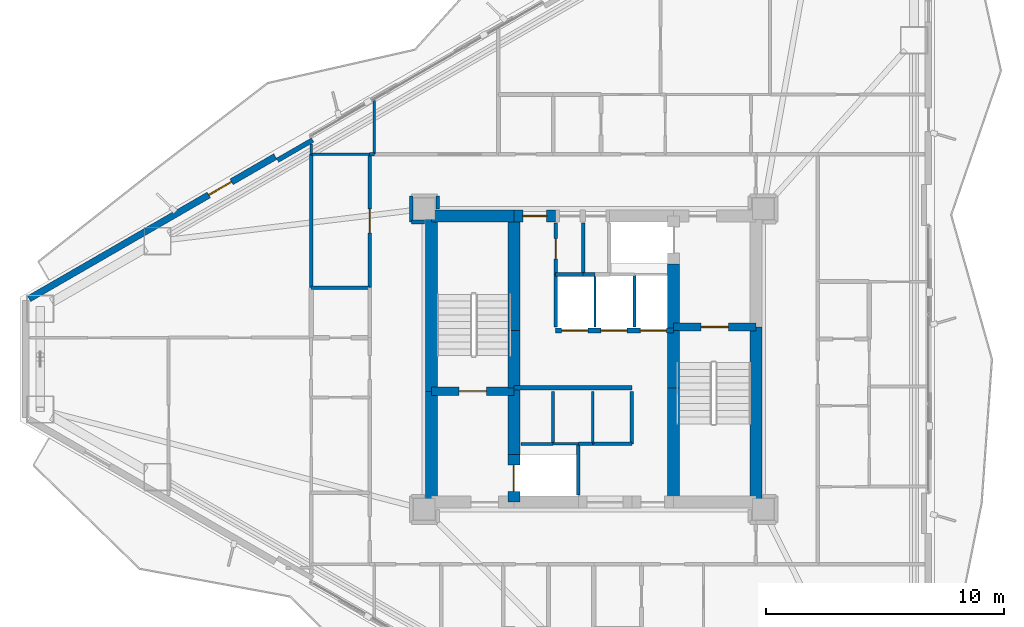
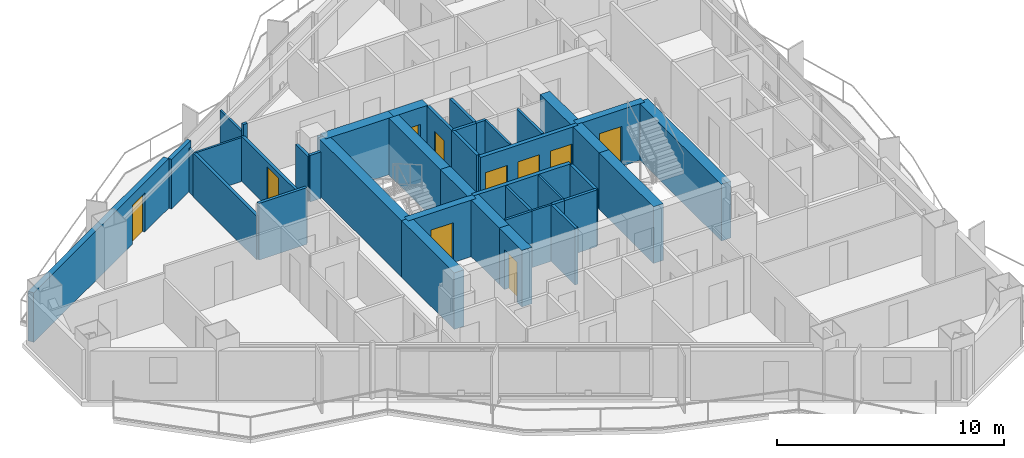
# One storey, part 17 of 23: 43 walls, 10 doors, 10 openings.
"""IFC4 building model written with IfcOpenShell, lengths in metres."""

from ifc_helpers import new_model, si_unit, direction, frame, frame_2d, origin, place, context, subcontext, project, spatial, rectangle, extrude, material, layer, layer_set, type_object, element, fill, save


model = new_model("IFC4")

# Units and contexts
model_context = context("Model", 3, precision=1e-05, world=origin(), true_north=direction((0.0, 1.0)))
body_context = subcontext(model_context, "Body", "Model", "MODEL_VIEW")
ifc_project = project(units=[si_unit("LENGTHUNIT", "METRE"), si_unit("AREAUNIT", "SQUARE_METRE"), si_unit("VOLUMEUNIT", "CUBIC_METRE"), si_unit("PLANEANGLEUNIT", "RADIAN"), si_unit("MASSUNIT", "GRAM", prefix="KILO")], contexts=[model_context])

# Site, building, storey
site_placement = place(None, origin())
site = spatial("IfcSite", under=ifc_project, at=site_placement, CompositionType="ELEMENT")
building_placement = place(site_placement, origin())
building = spatial("IfcBuilding", under=site, at=building_placement, Name="Mersakhor Tower and Convention Hall", CompositionType="ELEMENT")
storey_placement = place(building_placement, frame((0.0, 0.0, 80.10009765625)))
storey = spatial("IfcBuildingStorey", under=building, at=storey_placement, Name="L21", CompositionType="ELEMENT", Elevation=80.10009765625)

# Wall, opening, door
ifc_material_1 = material(Name="Precast concrete C45/55", Category="concrete")
ifc_layer_1 = layer(ifc_material_1, 0.27490234375)
ifc_layer_set_1 = layer_set([ifc_layer_1], Name="Precast concrete C45/55")
wall_type_1 = type_object("IfcWallType", Name="WL-EXT-275", PredefinedType="SOLIDWALL", material=ifc_layer_set_1)
wall_1_placement = place(storey_placement, frame((5.316650390625, 29.2822265625, 0.0), z_axis=(0.0, 0.0, 1.0), x_axis=(0.866023023012, 0.500004123596, 0.0)))
wall_1 = element("IfcWall", 1, at=wall_1_placement, inside=storey, type_object=wall_type_1, Name="L21 Exterior Facade Wall F1-B1", PredefinedType="SOLIDWALL", context=body_context, shape_type="SweptSolid", body=[
    extrude(rectangle(XDim=11.9296875, YDim=0.27490234375, at=frame_2d((5.96484375, 0.0))), origin(), (0.0, 0.0, 1.0), 2.669921875),
])
opening_1_placement = place(wall_1_placement, frame((8.7041015625, 0.0, 0.0)))
opening_1 = element("IfcOpeningElement", 2, at=opening_1_placement, cuts=wall_1, Name="Opening BD-02", PredefinedType="OPENING", context=body_context, shape_type="SweptSolid", body=[
    extrude(rectangle(XDim=1.10009765625, YDim=2.10009765625, at=frame_2d((0.550048828125, 1.050048828125))), frame((0.0, 0.1474609375, 0.0), z_axis=(0.0, -1.0, 0.0), x_axis=(1.0, 0.0, 0.0)), (0.0, 0.0, 1.0), 0.294921875),
])
ifc_material_2 = material(Name="Thermally broken dark aluminium and safety glass", Category="aluminium")
door_type_1 = type_object("IfcDoorType", Name="DR-BAL-110x210", OperationType="NOTDEFINED", PredefinedType="DOOR", material=ifc_material_2)
door_1_placement = place(opening_1_placement, origin())
door_1 = element("IfcDoor", 3, at=door_1_placement, inside=storey, type_object=door_type_1, Name="L21 Balcony Terrace Door F1-B1", OperationType="SINGLE_SWING_RIGHT", OverallHeight=2.10009765625, OverallWidth=1.10009765625, PredefinedType="DOOR", context=body_context, shape_type="SweptSolid", body=[
    extrude(rectangle(XDim=1.10009765625, YDim=2.10009765625, at=frame_2d((0.550048828125, 1.050048828125))), frame((0.0, 0.02490234375, 0.0), z_axis=(0.0, -1.0, 0.0), x_axis=(1.0, 0.0, 0.0)), (0.0, 0.0, 1.0), 0.050048828125),
])
fill(opening_1, door_1)

# Walls
ifc_material_3 = material(Name="Precast concrete C40/50", Category="concrete")
ifc_layer_2 = layer(ifc_material_3, 0.199951171875)
ifc_layer_set_2 = layer_set([ifc_layer_2], Name="Precast concrete C40/50")
wall_type_2 = type_object("IfcWallType", Name="WL-PAR-200", PredefinedType="PARAPET", material=ifc_layer_set_2)
wall_2_placement = place(storey_placement, frame((15.73779296875, 35.091064453125, 0.0), z_axis=(0.0, 0.0, 1.0), x_axis=(0.866025371046, 0.500000056704, 0.0)))
element("IfcWall", 4, at=wall_2_placement, inside=storey, type_object=wall_type_2, Name="L21 Column Pier Cladding Wall F1-C1", PredefinedType="PARAPET", context=body_context, shape_type="SweptSolid", body=[
    extrude(rectangle(XDim=1.7001953125, YDim=0.199951171875, at=frame_2d((0.85009765625, 0.0))), origin(), (0.0, 0.0, 1.0), 2.669921875),
])
ifc_material_4 = material(Name="Lightweight gypsum partition", Category="other")
ifc_layer_3 = layer(ifc_material_4, 0.10009765625)
ifc_layer_set_3 = layer_set([ifc_layer_3], Name="Lightweight gypsum partition")
wall_type_3 = type_object("IfcWallType", Name="WL-PRT-100", PredefinedType="PARTITIONING", material=ifc_layer_set_3)
wall_3_placement = place(storey_placement, frame((27.300048828125, 23.199951171875, 0.0), z_axis=(0.0, 0.0, 1.0), x_axis=(1.0, 0.0, 0.0)))
element("IfcWall", 5, at=wall_3_placement, inside=storey, type_object=wall_type_3, Name="L21 Interior Partition Wall P-002", PredefinedType="PARTITIONING", context=body_context, shape_type="SweptSolid", body=[
    extrude(rectangle(XDim=1.050048828125, YDim=0.10009765625, at=frame_2d((0.52490234375, 0.0))), origin(), (0.0, 0.0, 1.0), 3.0498046875),
])
for number, where, z_axis, x_axis, name in (
    (6, (28.949951171875, 25.39990234375, 0.0), (0.0, 0.0, 1.0), (0.0, -1.0, 0.0), "L21 Interior Partition Wall P-008"),
    (7, (29.050048828125, 30.300048828125, 0.0), (0.0, 0.0, 1.0), (0.0, -1.0, 0.0), "L21 Interior Partition Wall P-014"),
):
    element("IfcWall", number, at=place(storey_placement, frame(where, z_axis=z_axis, x_axis=x_axis)), inside=storey, type_object=wall_type_3, Name=name, PredefinedType="PARTITIONING", context=body_context, shape_type="SweptSolid", body=[
        extrude(rectangle(XDim=2.199951171875, YDim=0.10009765625, at=frame_2d((1.10009765625, 0.0))), origin(), (0.0, 0.0, 1.0), 3.0498046875),
    ])
wall_4_placement = place(storey_placement, frame((19.800048828125, 35.35009765625, 0.0), z_axis=(0.0, 0.0, 1.0), x_axis=(0.0, 1.0, 0.0)))
element("IfcWall", 8, at=wall_4_placement, inside=storey, type_object=wall_type_3, Name="L21 Interior Partition Wall P-104", PredefinedType="PARTITIONING", context=body_context, shape_type="SweptSolid", body=[
    extrude(rectangle(XDim=2.25244140625, YDim=0.10009765625, at=frame_2d((1.126220703125, 0.0))), origin(), (0.0, 0.0, 1.0), 2.364990234375),
])
wall_5_placement = place(storey_placement, frame((17.14990234375, 35.35009765625, 0.0), z_axis=(0.0, 0.0, 1.0), x_axis=(1.0, 0.0, 0.0)))
element("IfcWall", 9, at=wall_5_placement, inside=storey, type_object=wall_type_3, Name="L21 Interior Partition Wall P-106", PredefinedType="PARTITIONING", context=body_context, shape_type="SweptSolid", body=[
    extrude(rectangle(XDim=2.4501953125, YDim=0.10009765625, at=frame_2d((1.22509765625, 0.0))), origin(), (0.0, 0.0, 1.0), 2.364990234375),
])
wall_6_placement = place(storey_placement, frame((17.14990234375, 35.76318359375, 0.0), z_axis=(0.0, 0.0, 1.0), x_axis=(0.0, -1.0, 0.0)))
element("IfcWall", 10, at=wall_6_placement, inside=storey, type_object=wall_type_3, Name="L21 Interior Partition Wall P-132", PredefinedType="PARTITIONING", context=body_context, shape_type="SweptSolid", body=[
    extrude(rectangle(XDim=0.4130859375, YDim=0.10009765625, at=frame_2d((0.20654296875, 0.0))), origin(), (0.0, 0.0, 1.0), 2.364990234375),
])
ifc_material_5 = material(Name="Gypsum board acoustic partition", Category="other")
ifc_layer_4 = layer(ifc_material_5, 0.125)
ifc_layer_set_4 = layer_set([ifc_layer_4], Name="Gypsum board acoustic partition")
wall_type_4 = type_object("IfcWallType", Name="WL-PRT-125", PredefinedType="PARTITIONING", material=ifc_layer_set_4)
wall_7_placement = place(storey_placement, frame((25.949951171875, 23.199951171875, 0.0), z_axis=(0.0, 0.0, 1.0), x_axis=(1.0, 0.0, 0.0)))
element("IfcWall", 11, at=wall_7_placement, inside=storey, type_object=wall_type_4, Name="L21 Interior Partition Wall P-001", PredefinedType="PARTITIONING", context=body_context, shape_type="SweptSolid", body=[
    extrude(rectangle(XDim=1.35009765625, YDim=0.125, at=frame_2d((0.675048828125, 0.0))), origin(), (0.0, 0.0, 1.0), 3.0498046875),
])
for number, where, z_axis, x_axis, name in (
    (12, (27.300048828125, 25.39990234375, 0.0), (0.0, 0.0, 1.0), (0.0, -1.0, 0.0), "L21 Interior Partition Wall P-007"),
    (13, (30.699951171875, 30.300048828125, 0.0), (0.0, 0.0, 1.0), (0.0, -1.0, 0.0), "L21 Interior Partition Wall P-017"),
):
    element("IfcWall", number, at=place(storey_placement, frame(where, z_axis=z_axis, x_axis=x_axis)), inside=storey, type_object=wall_type_4, Name=name, PredefinedType="PARTITIONING", context=body_context, shape_type="SweptSolid", body=[
        extrude(rectangle(XDim=2.199951171875, YDim=0.125, at=frame_2d((1.10009765625, 0.0))), origin(), (0.0, 0.0, 1.0), 3.0498046875),
    ])
ifc_material_6 = material(Name="Fire-rated gypsum board stud partition", Category="other")
ifc_layer_5 = layer(ifc_material_6, 0.14990234375)
ifc_layer_set_5 = layer_set([ifc_layer_5], Name="Fire-rated gypsum board stud partition")
wall_type_5 = type_object("IfcWallType", Name="WL-PRT-150", PredefinedType="PARTITIONING", material=ifc_layer_set_5)
wall_8_placement = place(storey_placement, frame((28.35009765625, 23.199951171875, 0.0), z_axis=(0.0, 0.0, 1.0), x_axis=(0.0, -1.0, 0.0)))
element("IfcWall", 14, at=wall_8_placement, inside=storey, type_object=wall_type_5, Name="L21 Interior Partition Wall P-003", PredefinedType="PARTITIONING", context=body_context, shape_type="SweptSolid", body=[
    extrude(rectangle(XDim=2.14990234375, YDim=0.14990234375, at=frame_2d((1.074951171875, 0.0))), origin(), (0.0, 0.0, 1.0), 3.0498046875),
])
wall_9_placement = place(storey_placement, frame((28.949951171875, 23.199951171875, 0.0), z_axis=(0.0, 0.0, 1.0), x_axis=(-1.0, 0.0, 0.0)))
element("IfcWall", 15, at=wall_9_placement, inside=storey, type_object=wall_type_5, Name="L21 Interior Partition Wall P-009", PredefinedType="PARTITIONING", context=body_context, shape_type="SweptSolid", body=[
    extrude(rectangle(XDim=0.599853515625, YDim=0.14990234375, at=frame_2d((0.2998046875, 0.0))), origin(), (0.0, 0.0, 1.0), 3.0498046875),
])
wall_10_placement = place(storey_placement, frame((30.60009765625, 25.39990234375, 0.0), z_axis=(0.0, 0.0, 1.0), x_axis=(0.0, -1.0, 0.0)))
element("IfcWall", 16, at=wall_10_placement, inside=storey, type_object=wall_type_5, Name="L21 Interior Partition Wall P-010", PredefinedType="PARTITIONING", context=body_context, shape_type="SweptSolid", body=[
    extrude(rectangle(XDim=2.199951171875, YDim=0.14990234375, at=frame_2d((1.10009765625, 0.0))), origin(), (0.0, 0.0, 1.0), 3.0498046875),
])
wall_11_placement = place(storey_placement, frame((30.60009765625, 23.199951171875, 0.0), z_axis=(0.0, 0.0, 1.0), x_axis=(-1.0, 0.0, 0.0)))
element("IfcWall", 17, at=wall_11_placement, inside=storey, type_object=wall_type_5, Name="L21 Interior Partition Wall P-011", PredefinedType="PARTITIONING", context=body_context, shape_type="SweptSolid", body=[
    extrude(rectangle(XDim=1.650146484375, YDim=0.14990234375, at=frame_2d((0.8251953125, 0.0))), origin(), (0.0, 0.0, 1.0), 3.0498046875),
])
wall_12_placement = place(storey_placement, frame((27.39990234375, 30.300048828125, 0.0), z_axis=(0.0, 0.0, 1.0), x_axis=(1.0, 0.0, 0.0)))
element("IfcWall", 18, at=wall_12_placement, inside=storey, type_object=wall_type_5, Name="L21 Interior Partition Wall P-012", PredefinedType="PARTITIONING", context=body_context, shape_type="SweptSolid", body=[
    extrude(rectangle(XDim=1.150146484375, YDim=0.14990234375, at=frame_2d((0.5751953125, 0.0))), origin(), (0.0, 0.0, 1.0), 3.0498046875),
])
wall_13_placement = place(storey_placement, frame((28.550048828125, 30.300048828125, 0.0), z_axis=(0.0, 0.0, 1.0), x_axis=(1.0, 0.0, 0.0)))
element("IfcWall", 19, at=wall_13_placement, inside=storey, type_object=wall_type_5, Name="L21 Interior Partition Wall P-013", PredefinedType="PARTITIONING", context=body_context, shape_type="SweptSolid", body=[
    extrude(rectangle(XDim=0.5, YDim=0.14990234375, at=frame_2d((0.25, 0.0))), origin(), (0.0, 0.0, 1.0), 3.0498046875),
])
wall_14_placement = place(storey_placement, frame((27.39990234375, 28.10009765625, 0.0), z_axis=(0.0, 0.0, 1.0), x_axis=(0.0, 1.0, 0.0)))
element("IfcWall", 20, at=wall_14_placement, inside=storey, type_object=wall_type_5, Name="L21 Interior Partition Wall P-015", PredefinedType="PARTITIONING", context=body_context, shape_type="SweptSolid", body=[
    extrude(rectangle(XDim=2.199951171875, YDim=0.14990234375, at=frame_2d((1.10009765625, 0.0))), origin(), (0.0, 0.0, 1.0), 3.0498046875),
])

# Wall, opening, door
wall_15_placement = place(storey_placement, frame((27.39990234375, 32.449951171875, 0.0), z_axis=(0.0, 0.0, 1.0), x_axis=(0.0, -1.0, 0.0)))
wall_15 = element("IfcWall", 21, at=wall_15_placement, inside=storey, type_object=wall_type_5, Name="L21 Interior Partition Wall P-018", PredefinedType="PARTITIONING", context=body_context, shape_type="SweptSolid", body=[
    extrude(rectangle(XDim=2.14990234375, YDim=0.14990234375, at=frame_2d((1.074951171875, 0.0))), origin(), (0.0, 0.0, 1.0), 3.0498046875),
])
opening_2_placement = place(wall_15_placement, frame((0.64990234375, 0.0, 0.0)))
opening_2 = element("IfcOpeningElement", 22, at=opening_2_placement, cuts=wall_15, Name="Opening SVD-01", PredefinedType="OPENING", context=body_context, shape_type="SweptSolid", body=[
    extrude(rectangle(XDim=0.85009765625, YDim=2.10009765625, at=frame_2d((0.425048828125, 1.050048828125))), frame((0.0, 0.0849609375, 0.0), z_axis=(0.0, -1.0, 0.0), x_axis=(1.0, 0.0, 0.0)), (0.0, 0.0, 1.0), 0.169921875),
])
ifc_material_7 = material(Name="Fire-rated hardwood leaf and painted steel frame", Category="steel")
door_type_2 = type_object("IfcDoorType", Name="DR-INT-SVC-085x210", OperationType="NOTDEFINED", PredefinedType="DOOR", material=ifc_material_7)
door_2_placement = place(opening_2_placement, origin())
door_2 = element("IfcDoor", 23, at=door_2_placement, inside=storey, type_object=door_type_2, Name="L21 Central Passenger Lift Lobby to Telecoms Distribution Room Door", OperationType="SINGLE_SWING_LEFT", OverallHeight=2.10009765625, OverallWidth=0.85009765625, PredefinedType="DOOR", context=body_context, shape_type="SweptSolid", body=[
    extrude(rectangle(XDim=0.85009765625, YDim=2.10009765625, at=frame_2d((0.425048828125, 1.050048828125))), frame((0.0, 0.02490234375, 0.0), z_axis=(0.0, -1.0, 0.0), x_axis=(1.0, 0.0, 0.0)), (0.0, 0.0, 1.0), 0.050048828125),
])
fill(opening_2, door_2)

wall_16_placement = place(storey_placement, frame((19.60009765625, 29.75, 0.0), z_axis=(0.0, 0.0, 1.0), x_axis=(0.0, 1.0, 0.0)))
wall_16 = element("IfcWall", 24, at=wall_16_placement, inside=storey, type_object=wall_type_5, Name="L21 Interior Partition Wall P-036", PredefinedType="PARTITIONING", context=body_context, shape_type="SweptSolid", body=[
    extrude(rectangle(XDim=5.60009765625, YDim=0.14990234375, at=frame_2d((2.800048828125, 0.0))), origin(), (0.0, 0.0, 1.0), 2.422607421875),
])
opening_3_placement = place(wall_16_placement, frame((2.300048828125, 0.0, 0.0)))
opening_3 = element("IfcOpeningElement", 25, at=opening_3_placement, cuts=wall_16, Name="Opening FD-01", PredefinedType="OPENING", context=body_context, shape_type="SweptSolid", body=[
    extrude(rectangle(XDim=1.0, YDim=2.14990234375, at=frame_2d((0.5, 1.074951171875))), frame((0.0, 0.0849609375, 0.0), z_axis=(0.0, -1.0, 0.0), x_axis=(1.0, 0.0, 0.0)), (0.0, 0.0, 1.0), 0.169921875),
])
ifc_material_8 = material(Name="Fire-rated hardwood leaf and painted steel frame", Category="steel")
door_type_3 = type_object("IfcDoorType", Name="DR-INT-FLT-100x215", OperationType="NOTDEFINED", PredefinedType="DOOR", material=ifc_material_8)
door_3_placement = place(opening_3_placement, origin())
door_3 = element("IfcDoor", 26, at=door_3_placement, inside=storey, type_object=door_type_3, Name="L21 Residential Ring Corridor to L21 West Wing Shared Study Room Door", OperationType="SINGLE_SWING_RIGHT", OverallHeight=2.14990234375, OverallWidth=1.0, PredefinedType="DOOR", context=body_context, shape_type="SweptSolid", body=[
    extrude(rectangle(XDim=1.0, YDim=2.14990234375, at=frame_2d((0.5, 1.074951171875))), frame((0.0, 0.02490234375, 0.0), z_axis=(0.0, -1.0, 0.0), x_axis=(1.0, 0.0, 0.0)), (0.0, 0.0, 1.0), 0.050048828125),
])
fill(opening_3, door_3)

# Walls
wall_17_placement = place(storey_placement, frame((19.60009765625, 35.35009765625, 0.0), z_axis=(0.0, 0.0, 1.0), x_axis=(1.0, 0.0, 0.0)))
element("IfcWall", 27, at=wall_17_placement, inside=storey, type_object=wall_type_5, Name="L21 Interior Partition Wall P-037", PredefinedType="PARTITIONING", context=body_context, shape_type="SweptSolid", body=[
    extrude(rectangle(XDim=0.199951171875, YDim=0.14990234375, at=frame_2d((0.10009765625, 0.0))), origin(), (0.0, 0.0, 1.0), 3.0498046875),
])
wall_18_placement = place(storey_placement, frame((22.449951171875, 33.050048828125, 0.0), z_axis=(0.0, 0.0, 1.0), x_axis=(0.0, 1.0, 0.0)))
element("IfcWall", 28, at=wall_18_placement, inside=storey, type_object=wall_type_5, Name="L21 Interior Partition Wall P-047", PredefinedType="PARTITIONING", context=body_context, shape_type="SweptSolid", body=[
    extrude(rectangle(XDim=0.550048828125, YDim=0.14990234375, at=frame_2d((0.27490234375, 0.0))), origin(), (0.0, 0.0, 1.0), 2.498291015625),
])
wall_19_placement = place(storey_placement, frame((21.35009765625, 33.60009765625, 0.0), z_axis=(0.0, 0.0, 1.0), x_axis=(0.0, -1.0, 0.0)))
element("IfcWall", 29, at=wall_19_placement, inside=storey, type_object=wall_type_5, Name="L21 Interior Partition Wall P-049", PredefinedType="PARTITIONING", context=body_context, shape_type="SweptSolid", body=[
    extrude(rectangle(XDim=1.10009765625, YDim=0.14990234375, at=frame_2d((0.550048828125, 0.0))), origin(), (0.0, 0.0, 1.0), 2.422607421875),
])
wall_20_placement = place(storey_placement, frame((21.35009765625, 32.5, 0.0), z_axis=(0.0, 0.0, 1.0), x_axis=(1.0, 0.0, 0.0)))
element("IfcWall", 30, at=wall_20_placement, inside=storey, type_object=wall_type_5, Name="L21 Interior Partition Wall P-050", PredefinedType="PARTITIONING", context=body_context, shape_type="SweptSolid", body=[
    extrude(rectangle(XDim=0.5498046875, YDim=0.14990234375, at=frame_2d((0.27490234375, 0.0))), origin(), (0.0, 0.0, 1.0), 2.498291015625),
])
wall_21_placement = place(storey_placement, frame((17.14990234375, 29.75, 0.0), z_axis=(0.0, 0.0, 1.0), x_axis=(1.0, 0.0, 0.0)))
element("IfcWall", 31, at=wall_21_placement, inside=storey, type_object=wall_type_5, Name="L21 Interior Partition Wall P-095", PredefinedType="PARTITIONING", context=body_context, shape_type="SweptSolid", body=[
    extrude(rectangle(XDim=2.4501953125, YDim=0.14990234375, at=frame_2d((1.22509765625, 0.0))), origin(), (0.0, 0.0, 1.0), 3.0498046875),
])
wall_22_placement = place(storey_placement, frame((28.550048828125, 32.449951171875, 0.0), z_axis=(0.0, 0.0, 1.0), x_axis=(0.0, -1.0, 0.0)))
element("IfcWall", 32, at=wall_22_placement, inside=storey, type_object=wall_type_5, Name="L21 Interior Partition Wall P-102", PredefinedType="PARTITIONING", context=body_context, shape_type="SweptSolid", body=[
    extrude(rectangle(XDim=2.14990234375, YDim=0.14990234375, at=frame_2d((1.074951171875, 0.0))), origin(), (0.0, 0.0, 1.0), 3.0498046875),
])
wall_23_placement = place(storey_placement, frame((17.14990234375, 29.75, 0.0), z_axis=(0.0, 0.0, 1.0), x_axis=(0.0, 1.0, 0.0)))
element("IfcWall", 33, at=wall_23_placement, inside=storey, type_object=wall_type_5, Name="L21 Interior Partition Wall P-105", PredefinedType="PARTITIONING", context=body_context, shape_type="SweptSolid", body=[
    extrude(rectangle(XDim=5.60009765625, YDim=0.14990234375, at=frame_2d((2.800048828125, 0.0))), origin(), (0.0, 0.0, 1.0), 2.364990234375),
])
ifc_material_9 = material(Name="Acoustic concrete blockwork and gypsum board", Category="masonry")
ifc_layer_6 = layer(ifc_material_9, 0.199951171875)
ifc_layer_set_6 = layer_set([ifc_layer_6], Name="Acoustic concrete blockwork and gypsum board")
wall_type_6 = type_object("IfcWallType", Name="WL-PRT-200", PredefinedType="PARTITIONING", material=ifc_layer_set_6)
wall_24_placement = place(storey_placement, frame((25.64990234375, 25.550048828125, 0.0), z_axis=(0.0, 0.0, 1.0), x_axis=(1.0, 0.0, 0.0)))
element("IfcWall", 34, at=wall_24_placement, inside=storey, type_object=wall_type_6, Name="L21 High-Rise Lift Bank Front Wall", PredefinedType="PARTITIONING", context=body_context, shape_type="SweptSolid", body=[
    extrude(rectangle(XDim=4.9501953125, YDim=0.199951171875, at=frame_2d((2.47509765625, 0.0))), origin(), (0.0, 0.0, 1.0), 3.0498046875),
])

# Wall, openings, doors
wall_25_placement = place(storey_placement, frame((27.39990234375, 27.949951171875, 0.0), z_axis=(0.0, 0.0, 1.0), x_axis=(1.0, 0.0, 0.0)))
wall_25 = element("IfcWall", 35, at=wall_25_placement, inside=storey, type_object=wall_type_6, Name="L21 Low-Rise Lift Bank Front Wall", PredefinedType="PARTITIONING", context=body_context, shape_type="SweptSolid", body=[
    extrude(rectangle(XDim=4.9501953125, YDim=0.199951171875, at=frame_2d((2.47509765625, 0.0))), origin(), (0.0, 0.0, 1.0), 3.0498046875),
])
opening_4_placement = place(wall_25_placement, frame((0.25, 0.0, 0.0)))
opening_4 = element("IfcOpeningElement", 36, at=opening_4_placement, cuts=wall_25, Name="Opening LD-P1", PredefinedType="OPENING", context=body_context, shape_type="SweptSolid", body=[
    extrude(rectangle(XDim=1.10009765625, YDim=2.14990234375, at=frame_2d((0.550048828125, 1.074951171875))), frame((0.0, 0.10986328125, 0.0), z_axis=(0.0, -1.0, 0.0), x_axis=(1.0, 0.0, 0.0)), (0.0, 0.0, 1.0), 0.219970703125),
])
opening_5_placement = place(wall_25_placement, frame((1.89990234375, 0.0, 0.0)))
opening_5 = element("IfcOpeningElement", 37, at=opening_5_placement, cuts=wall_25, Name="Opening LD-P2", PredefinedType="OPENING", context=body_context, shape_type="SweptSolid", body=[
    extrude(rectangle(XDim=1.10009765625, YDim=2.14990234375, at=frame_2d((0.550048828125, 1.074951171875))), frame((0.0, 0.10986328125, 0.0), z_axis=(0.0, -1.0, 0.0), x_axis=(1.0, 0.0, 0.0)), (0.0, 0.0, 1.0), 0.219970703125),
])
opening_6_placement = place(wall_25_placement, frame((3.550048828125, 0.0, 0.0)))
opening_6 = element("IfcOpeningElement", 38, at=opening_6_placement, cuts=wall_25, Name="Opening LD-P3", PredefinedType="OPENING", context=body_context, shape_type="SweptSolid", body=[
    extrude(rectangle(XDim=1.10009765625, YDim=2.14990234375, at=frame_2d((0.550048828125, 1.074951171875))), frame((0.0, 0.10986328125, 0.0), z_axis=(0.0, -1.0, 0.0), x_axis=(1.0, 0.0, 0.0)), (0.0, 0.0, 1.0), 0.219970703125),
])
ifc_material_10 = material(Name="Fire-rated brushed stainless steel sliding landing door", Category="steel")
door_type_4 = type_object("IfcDoorType", Name="DR-LIFT-SLD-110x215", OperationType="NOTDEFINED", PredefinedType="DOOR", material=ifc_material_10)
door_4_placement = place(opening_4_placement, origin())
door_4 = element("IfcDoor", 39, at=door_4_placement, inside=storey, type_object=door_type_4, Name="L21 Lift Landing Door LD-P1", OperationType="SLIDING_TO_LEFT", OverallHeight=2.14990234375, OverallWidth=1.10009765625, PredefinedType="DOOR", context=body_context, shape_type="SweptSolid", body=[
    extrude(rectangle(XDim=1.10009765625, YDim=2.14990234375, at=frame_2d((0.550048828125, 1.074951171875))), frame((0.0, 0.02490234375, 0.0), z_axis=(0.0, -1.0, 0.0), x_axis=(1.0, 0.0, 0.0)), (0.0, 0.0, 1.0), 0.050048828125),
])
fill(opening_4, door_4)
door_5_placement = place(opening_5_placement, origin())
door_5 = element("IfcDoor", 40, at=door_5_placement, inside=storey, type_object=door_type_4, Name="L21 Lift Landing Door LD-P2", OperationType="SLIDING_TO_LEFT", OverallHeight=2.14990234375, OverallWidth=1.10009765625, PredefinedType="DOOR", context=body_context, shape_type="SweptSolid", body=[
    extrude(rectangle(XDim=1.10009765625, YDim=2.14990234375, at=frame_2d((0.550048828125, 1.074951171875))), frame((0.0, 0.02490234375, 0.0), z_axis=(0.0, -1.0, 0.0), x_axis=(1.0, 0.0, 0.0)), (0.0, 0.0, 1.0), 0.050048828125),
])
fill(opening_5, door_5)
door_6_placement = place(opening_6_placement, origin())
door_6 = element("IfcDoor", 41, at=door_6_placement, inside=storey, type_object=door_type_4, Name="L21 Lift Landing Door LD-P3", OperationType="SLIDING_TO_LEFT", OverallHeight=2.14990234375, OverallWidth=1.10009765625, PredefinedType="DOOR", context=body_context, shape_type="SweptSolid", body=[
    extrude(rectangle(XDim=1.10009765625, YDim=2.14990234375, at=frame_2d((0.550048828125, 1.074951171875))), frame((0.0, 0.02490234375, 0.0), z_axis=(0.0, -1.0, 0.0), x_axis=(1.0, 0.0, 0.0)), (0.0, 0.0, 1.0), 0.050048828125),
])
fill(opening_6, door_6)

# Wall, opening, door
ifc_material_11 = material(Name="Concrete C50/60", Category="concrete")
ifc_layer_7 = layer(ifc_material_11, 0.35009765625)
ifc_layer_set_7 = layer_set([ifc_layer_7], Name="Concrete C50/60")
wall_type_7 = type_object("IfcWallType", Name="WL-SHR-350", PredefinedType="SHEAR", material=ifc_layer_set_7)
wall_26_placement = place(storey_placement, frame((22.199951171875, 25.39990234375, 0.0), z_axis=(0.0, 0.0, 1.0), x_axis=(1.0, 0.0, 0.0)))
wall_26 = element("IfcWall", 42, at=wall_26_placement, inside=storey, type_object=wall_type_7, Name="L21 Core Wall CS-ST1-S", PredefinedType="SHEAR", context=body_context, shape_type="SweptSolid", body=[
    extrude(rectangle(XDim=3.449951171875, YDim=0.35009765625, at=frame_2d((1.72509765625, 0.0))), origin(), (0.0, 0.0, 1.0), 3.0498046875),
])
opening_7_placement = place(wall_26_placement, frame((1.14990234375, 0.0, 0.0)))
opening_7 = element("IfcOpeningElement", 43, at=opening_7_placement, cuts=wall_26, Name="Opening SD-01", PredefinedType="OPENING", context=body_context, shape_type="SweptSolid", body=[
    extrude(rectangle(XDim=1.14990234375, YDim=2.14990234375, at=frame_2d((0.574951171875, 1.074951171875))), frame((0.0, 0.18505859375, 0.0), z_axis=(0.0, -1.0, 0.0), x_axis=(1.0, 0.0, 0.0)), (0.0, 0.0, 1.0), 0.3701171875),
])
ifc_material_12 = material(Name="Fire-rated hardwood leaf and painted steel frame", Category="steel")
door_type_5 = type_object("IfcDoorType", Name="DR-INT-STAIR-115x215", OperationType="NOTDEFINED", PredefinedType="DOOR", material=ifc_material_12)
door_7_placement = place(opening_7_placement, origin())
door_7 = element("IfcDoor", 44, at=door_7_placement, inside=storey, type_object=door_type_5, Name="L21 Exit Stair ST-1 Enclosure Door", OperationType="SINGLE_SWING_LEFT", OverallHeight=2.14990234375, OverallWidth=1.14990234375, PredefinedType="DOOR", context=body_context, shape_type="SweptSolid", body=[
    extrude(rectangle(XDim=1.14990234375, YDim=2.14990234375, at=frame_2d((0.574951171875, 1.074951171875))), frame((0.0, 0.02490234375, 0.0), z_axis=(0.0, -1.0, 0.0), x_axis=(1.0, 0.0, 0.0)), (0.0, 0.0, 1.0), 0.050048828125),
])
fill(opening_7, door_7)

wall_27_placement = place(storey_placement, frame((32.35009765625, 28.10009765625, 0.0), z_axis=(0.0, 0.0, 1.0), x_axis=(1.0, 0.0, 0.0)))
wall_27 = element("IfcWall", 45, at=wall_27_placement, inside=storey, type_object=wall_type_7, Name="L21 Core Wall CS-ST2-N", PredefinedType="SHEAR", context=body_context, shape_type="SweptSolid", body=[
    extrude(rectangle(XDim=3.449951171875, YDim=0.35009765625, at=frame_2d((1.72509765625, 0.0))), origin(), (0.0, 0.0, 1.0), 3.0498046875),
])
opening_8_placement = place(wall_27_placement, frame((1.14990234375, 0.0, 0.0)))
opening_8 = element("IfcOpeningElement", 46, at=opening_8_placement, cuts=wall_27, Name="Opening SD-01", PredefinedType="OPENING", context=body_context, shape_type="SweptSolid", body=[
    extrude(rectangle(XDim=1.14990234375, YDim=2.14990234375, at=frame_2d((0.574951171875, 1.074951171875))), frame((0.0, 0.18505859375, 0.0), z_axis=(0.0, -1.0, 0.0), x_axis=(1.0, 0.0, 0.0)), (0.0, 0.0, 1.0), 0.3701171875),
])
door_8_placement = place(opening_8_placement, origin())
door_8 = element("IfcDoor", 47, at=door_8_placement, inside=storey, type_object=door_type_5, Name="L21 Exit Stair ST-2 Enclosure Door", OperationType="SINGLE_SWING_RIGHT", OverallHeight=2.14990234375, OverallWidth=1.14990234375, PredefinedType="DOOR", context=body_context, shape_type="SweptSolid", body=[
    extrude(rectangle(XDim=1.14990234375, YDim=2.14990234375, at=frame_2d((0.574951171875, 1.074951171875))), frame((0.0, 0.02490234375, 0.0), z_axis=(0.0, -1.0, 0.0), x_axis=(1.0, 0.0, 0.0)), (0.0, 0.0, 1.0), 0.050048828125),
])
fill(opening_8, door_8)

# Walls
ifc_material_13 = material(Name="Concrete C70/85", Category="concrete")
ifc_layer_8 = layer(ifc_material_13, 0.5)
ifc_layer_set_8 = layer_set([ifc_layer_8], Name="Concrete C70/85")
wall_type_8 = type_object("IfcWallType", Name="WL-SHR-500", PredefinedType="SHEAR", material=ifc_layer_set_8)
wall_28_placement = place(storey_placement, frame((22.199951171875, 20.75, 0.0), z_axis=(0.0, 0.0, 1.0), x_axis=(0.0, 1.0, 0.0)))
element("IfcWall", 48, at=wall_28_placement, inside=storey, type_object=wall_type_8, Name="L21 Core Wall CW-W1", PredefinedType="SHEAR", context=body_context, shape_type="SweptSolid", body=[
    extrude(rectangle(XDim=4.64990234375, YDim=0.5, at=frame_2d((2.324951171875, 0.0))), origin(), (0.0, 0.0, 1.0), 3.0498046875),
])
wall_29_placement = place(storey_placement, frame((22.199951171875, 25.39990234375, 0.0), z_axis=(0.0, 0.0, 1.0), x_axis=(0.0, 1.0, 0.0)))
element("IfcWall", 49, at=wall_29_placement, inside=storey, type_object=wall_type_8, Name="L21 Core Wall CW-W2", PredefinedType="SHEAR", context=body_context, shape_type="SweptSolid", body=[
    extrude(rectangle(XDim=7.35009765625, YDim=0.5, at=frame_2d((3.675048828125, 0.0))), origin(), (0.0, 0.0, 1.0), 3.0498046875),
])
wall_30_placement = place(storey_placement, frame((22.199951171875, 32.75, 0.0), z_axis=(0.0, 0.0, 1.0), x_axis=(1.0, 0.0, 0.0)))
element("IfcWall", 50, at=wall_30_placement, inside=storey, type_object=wall_type_8, Name="L21 Core Wall CW-N1", PredefinedType="SHEAR", context=body_context, shape_type="SweptSolid", body=[
    extrude(rectangle(XDim=3.449951171875, YDim=0.5, at=frame_2d((1.72509765625, 0.0))), origin(), (0.0, 0.0, 1.0), 3.0498046875),
])

# Wall, opening, door
wall_31_placement = place(storey_placement, frame((25.64990234375, 32.75, 0.0), z_axis=(0.0, 0.0, 1.0), x_axis=(1.0, 0.0, 0.0)))
wall_31 = element("IfcWall", 51, at=wall_31_placement, inside=storey, type_object=wall_type_8, Name="L21 Core Wall CW-N2A", PredefinedType="SHEAR", context=body_context, shape_type="SweptSolid", body=[
    extrude(rectangle(XDim=1.75, YDim=0.5, at=frame_2d((0.875, 0.0))), origin(), (0.0, 0.0, 1.0), 3.0498046875),
])
opening_9_placement = place(wall_31_placement, frame((0.375, 0.0, 0.0)))
opening_9 = element("IfcOpeningElement", 52, at=opening_9_placement, cuts=wall_31, Name="Opening CFD-01", PredefinedType="OPENING", context=body_context, shape_type="SweptSolid", body=[
    extrude(rectangle(XDim=1.0, YDim=2.14990234375, at=frame_2d((0.5, 1.074951171875))), frame((0.0, 0.260009765625, 0.0), z_axis=(0.0, -1.0, 0.0), x_axis=(1.0, 0.0, 0.0)), (0.0, 0.0, 1.0), 0.52001953125),
])
ifc_material_14 = material(Name="Fire-rated hardwood leaf and painted steel frame", Category="steel")
door_type_6 = type_object("IfcDoorType", Name="DR-CORE-FD-100x215", OperationType="NOTDEFINED", PredefinedType="DOOR", material=ifc_material_14)
door_9_placement = place(opening_9_placement, origin())
door_9 = element("IfcDoor", 53, at=door_9_placement, inside=storey, type_object=door_type_6, Name="L21 Lift Lobby North Corridor Door", OperationType="SINGLE_SWING_LEFT", OverallHeight=2.14990234375, OverallWidth=1.0, PredefinedType="DOOR", context=body_context, shape_type="SweptSolid", body=[
    extrude(rectangle(XDim=1.0, YDim=2.14990234375, at=frame_2d((0.5, 1.074951171875))), frame((0.0, 0.02490234375, 0.0), z_axis=(0.0, -1.0, 0.0), x_axis=(1.0, 0.0, 0.0)), (0.0, 0.0, 1.0), 0.050048828125),
])
fill(opening_9, door_9)

# Wall
wall_32_placement = place(storey_placement, frame((35.800048828125, 28.10009765625, 0.0), z_axis=(0.0, 0.0, 1.0), x_axis=(0.0, -1.0, 0.0)))
element("IfcWall", 54, at=wall_32_placement, inside=storey, type_object=wall_type_8, Name="L21 Core Wall CW-E2", PredefinedType="SHEAR", context=body_context, shape_type="SweptSolid", body=[
    extrude(rectangle(XDim=7.35009765625, YDim=0.5, at=frame_2d((3.675048828125, 0.0))), origin(), (0.0, 0.0, 1.0), 3.0498046875),
])

# Wall, opening, door
wall_33_placement = place(storey_placement, frame((25.64990234375, 20.75, 0.0), z_axis=(0.0, 0.0, 1.0), x_axis=(0.0, 1.0, 0.0)))
wall_33 = element("IfcWall", 55, at=wall_33_placement, inside=storey, type_object=wall_type_8, Name="L21 Core Wall CS-W-FFL", PredefinedType="SHEAR", context=body_context, shape_type="SweptSolid", body=[
    extrude(rectangle(XDim=2.0, YDim=0.5, at=frame_2d((1.0, 0.0))), origin(), (0.0, 0.0, 1.0), 3.0498046875),
])
opening_10_placement = place(wall_33_placement, frame((0.449951171875, 0.0, 0.0)))
opening_10 = element("IfcOpeningElement", 56, at=opening_10_placement, cuts=wall_33, Name="Opening LD-FFL1", PredefinedType="OPENING", context=body_context, shape_type="SweptSolid", body=[
    extrude(rectangle(XDim=1.10009765625, YDim=2.14990234375, at=frame_2d((0.550048828125, 1.074951171875))), frame((0.0, 0.260009765625, 0.0), z_axis=(0.0, -1.0, 0.0), x_axis=(1.0, 0.0, 0.0)), (0.0, 0.0, 1.0), 0.52001953125),
])
door_10_placement = place(opening_10_placement, origin())
door_10 = element("IfcDoor", 57, at=door_10_placement, inside=storey, type_object=door_type_4, Name="L21 Firefighting Lift Landing Door LD-FFL1", OperationType="SLIDING_TO_LEFT", OverallHeight=2.14990234375, OverallWidth=1.10009765625, PredefinedType="DOOR", context=body_context, shape_type="SweptSolid", body=[
    extrude(rectangle(XDim=1.10009765625, YDim=2.14990234375, at=frame_2d((0.550048828125, 1.074951171875))), frame((0.0, 0.02490234375, 0.0), z_axis=(0.0, -1.0, 0.0), x_axis=(1.0, 0.0, 0.0)), (0.0, 0.0, 1.0), 0.050048828125),
])
fill(opening_10, door_10)

# Walls
wall_34_placement = place(storey_placement, frame((25.64990234375, 22.75, 0.0), z_axis=(0.0, 0.0, 1.0), x_axis=(0.0, 1.0, 0.0)))
element("IfcWall", 58, at=wall_34_placement, inside=storey, type_object=wall_type_8, Name="L21 Core Wall CS-W-MID", PredefinedType="SHEAR", context=body_context, shape_type="SweptSolid", body=[
    extrude(rectangle(XDim=2.800048828125, YDim=0.5, at=frame_2d((1.39990234375, 0.0))), origin(), (0.0, 0.0, 1.0), 3.0498046875),
])
wall_35_placement = place(storey_placement, frame((25.64990234375, 25.550048828125, 0.0), z_axis=(0.0, 0.0, 1.0), x_axis=(0.0, 1.0, 0.0)))
element("IfcWall", 59, at=wall_35_placement, inside=storey, type_object=wall_type_8, Name="L21 Core Wall CS-W-LOB", PredefinedType="SHEAR", context=body_context, shape_type="SweptSolid", body=[
    extrude(rectangle(XDim=2.39990234375, YDim=0.5, at=frame_2d((1.199951171875, 0.0))), origin(), (0.0, 0.0, 1.0), 3.0498046875),
])
for number, where, z_axis, x_axis, name in (
    (60, (25.64990234375, 27.949951171875, 0.0), (0.0, 0.0, 1.0), (0.0, 1.0, 0.0), "L21 Core Wall CS-W-ST1"),
    (61, (32.35009765625, 20.75, 0.0), (0.0, 0.0, 1.0), (0.0, 1.0, 0.0), "L21 Core Wall CS-E-ST2"),
):
    element("IfcWall", number, at=place(storey_placement, frame(where, z_axis=z_axis, x_axis=x_axis)), inside=storey, type_object=wall_type_8, Name=name, PredefinedType="SHEAR", context=body_context, shape_type="SweptSolid", body=[
        extrude(rectangle(XDim=4.800048828125, YDim=0.5, at=frame_2d((2.39990234375, 0.0))), origin(), (0.0, 0.0, 1.0), 3.0498046875),
    ])
wall_36_placement = place(storey_placement, frame((32.35009765625, 25.550048828125, 0.0), z_axis=(0.0, 0.0, 1.0), x_axis=(0.0, 1.0, 0.0)))
element("IfcWall", 62, at=wall_36_placement, inside=storey, type_object=wall_type_8, Name="L21 Core Wall CS-E-LOB", PredefinedType="SHEAR", context=body_context, shape_type="SweptSolid", body=[
    extrude(rectangle(XDim=2.39990234375, YDim=0.5, at=frame_2d((1.199951171875, 0.0))), origin(), (0.0, 0.0, 1.0), 3.0498046875),
])
wall_37_placement = place(storey_placement, frame((32.35009765625, 27.949951171875, 0.0), z_axis=(0.0, 0.0, 1.0), x_axis=(0.0, 1.0, 0.0)))
element("IfcWall", 63, at=wall_37_placement, inside=storey, type_object=wall_type_8, Name="L21 Core Wall CS-E-MID", PredefinedType="SHEAR", context=body_context, shape_type="SweptSolid", body=[
    extrude(rectangle(XDim=2.800048828125, YDim=0.5, at=frame_2d((1.39990234375, 0.0))), origin(), (0.0, 0.0, 1.0), 3.0498046875),
])

save(model, "model.ifc")
